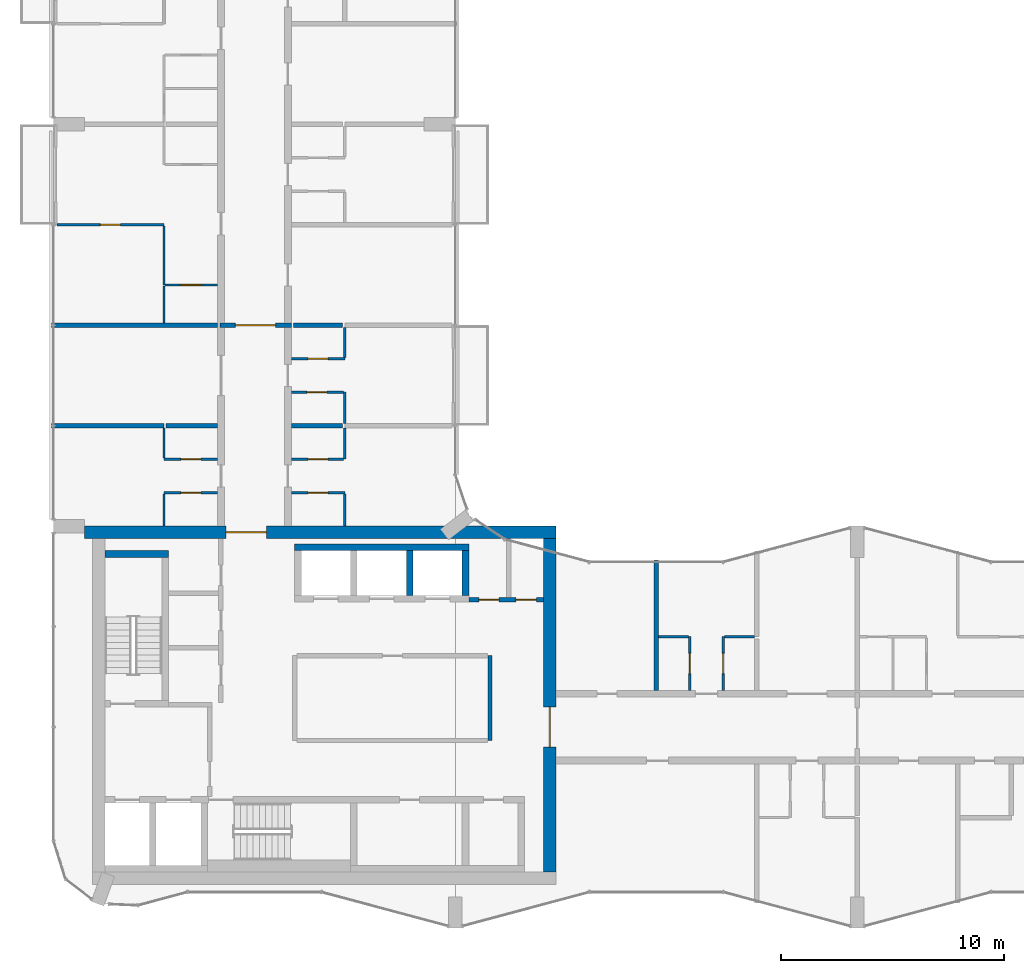
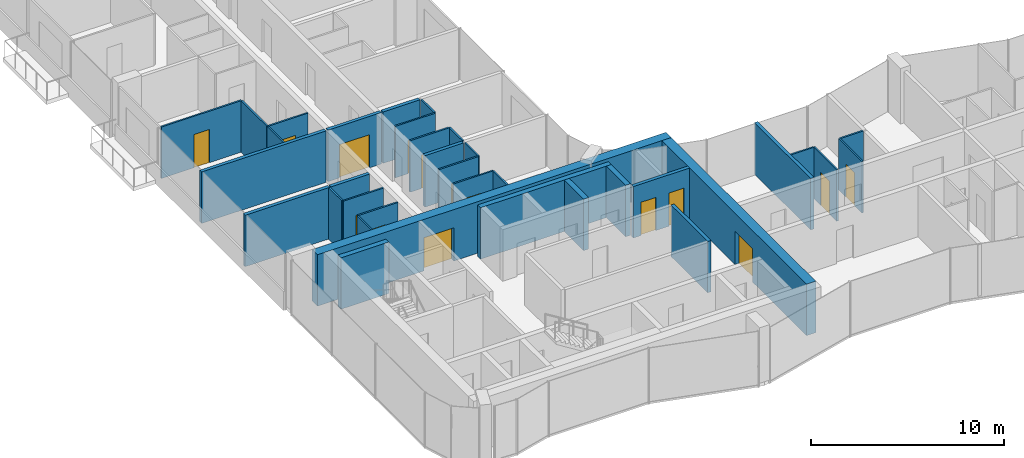
# One storey, part 10 of 15: 35 walls, 15 doors, 15 openings.
"""IFC4 building model written with IfcOpenShell, lengths in metres."""

from ifc_helpers import new_model, si_unit, direction, frame, frame_2d, origin, place, context, subcontext, project, spatial, rectangle, extrude, material, layer, layer_set, type_object, element, fill, save


model = new_model("IFC4")

# Units and contexts
model_context = context("Model", 3, precision=1e-05, world=origin(), true_north=direction((0.0, 1.0)))
body_context = subcontext(model_context, "Body", "Model", "MODEL_VIEW")
ifc_project = project(units=[si_unit("LENGTHUNIT", "METRE"), si_unit("AREAUNIT", "SQUARE_METRE"), si_unit("VOLUMEUNIT", "CUBIC_METRE"), si_unit("PLANEANGLEUNIT", "RADIAN"), si_unit("MASSUNIT", "GRAM", prefix="KILO")], contexts=[model_context])

# Site, building, storey
site_placement = place(None, origin())
site = spatial("IfcSite", under=ifc_project, at=site_placement, CompositionType="ELEMENT")
building_placement = place(site_placement, origin())
building = spatial("IfcBuilding", under=site, at=building_placement, Name="Plateau Cross Towers", CompositionType="ELEMENT")
storey_placement = place(building_placement, frame((0.0, 0.0, 177.89990234375)))
storey = spatial("IfcBuildingStorey", under=building, at=storey_placement, Name="L46", CompositionType="ELEMENT", Elevation=177.89990234375)

# Wall
ifc_material_1 = material(Name="Concrete block, plastered both sides", Category="concrete")
ifc_layer_1 = layer(ifc_material_1, 0.199951171875)
ifc_layer_set_1 = layer_set([ifc_layer_1], Name="Concrete block, plastered both sides")
wall_type_1 = type_object("IfcWallType", Name="Core partition 200", PredefinedType="PARTITIONING", material=ifc_layer_set_1)
wall_1_placement = place(storey_placement, frame((19.550048828125, 8.39990234375, 0.0), z_axis=(0.0, 0.0, 1.0), x_axis=(0.0, 1.0, 0.0)))
element("IfcWall", 1, at=wall_1_placement, inside=storey, type_object=wall_type_1, Name="Core partition", PredefinedType="PARTITIONING", context=body_context, shape_type="SweptSolid", body=[
    extrude(rectangle(XDim=3.800048828125, YDim=0.199951171875, at=frame_2d((1.89990234375, 0.0))), origin(), (0.0, 0.0, 1.0), 3.25),
])

# Wall, openings, doors
wall_2_placement = place(storey_placement, frame((18.60009765625, 14.699951171875, 0.0), z_axis=(0.0, 0.0, 1.0), x_axis=(1.0, 0.0, 0.0)))
wall_2 = element("IfcWall", 2, at=wall_2_placement, inside=storey, type_object=wall_type_1, Name="Core partition", PredefinedType="PARTITIONING", context=body_context, shape_type="SweptSolid", body=[
    extrude(rectangle(XDim=3.349853515625, YDim=0.199951171875, at=frame_2d((1.6748046875, 0.0))), origin(), (0.0, 0.0, 1.0), 3.25),
])
opening_1_placement = place(wall_2_placement, frame((0.449951171875, 0.0, 0.0)))
opening_1 = element("IfcOpeningElement", 3, at=opening_1_placement, cuts=wall_2, Name="Opening RD2", PredefinedType="OPENING", context=body_context, shape_type="SweptSolid", body=[
    extrude(rectangle(XDim=0.89990234375, YDim=2.10009765625, at=frame_2d((0.449951171875, 1.050048828125))), frame((0.0, 0.10986328125, 0.0), z_axis=(0.0, -1.0, 0.0), x_axis=(1.0, 0.0, 0.0)), (0.0, 0.0, 1.0), 0.219970703125),
])
opening_2_placement = place(wall_2_placement, frame((2.125, 0.0, 0.0)))
opening_2 = element("IfcOpeningElement", 4, at=opening_2_placement, cuts=wall_2, Name="Opening RD2", PredefinedType="OPENING", context=body_context, shape_type="SweptSolid", body=[
    extrude(rectangle(XDim=0.89990234375, YDim=2.10009765625, at=frame_2d((0.449951171875, 1.050048828125))), frame((0.0, 0.10986328125, 0.0), z_axis=(0.0, -1.0, 0.0), x_axis=(1.0, 0.0, 0.0)), (0.0, 0.0, 1.0), 0.219970703125),
])
ifc_material_2 = material(Name="Steel, fire-resisting leaf", Category="steel")
door_type_1 = type_object("IfcDoorType", Name="Core riser door 900", OperationType="NOTDEFINED", PredefinedType="DOOR", material=ifc_material_2)
door_1_placement = place(opening_1_placement, origin())
door_1 = element("IfcDoor", 5, at=door_1_placement, inside=storey, type_object=door_type_1, Name="Core riser door RD2", OperationType="SINGLE_SWING_LEFT", OverallHeight=2.10009765625, OverallWidth=0.89990234375, PredefinedType="DOOR", context=body_context, shape_type="SweptSolid", body=[
    extrude(rectangle(XDim=0.89990234375, YDim=2.10009765625, at=frame_2d((0.449951171875, 1.050048828125))), frame((0.0, 0.02490234375, 0.0), z_axis=(0.0, -1.0, 0.0), x_axis=(1.0, 0.0, 0.0)), (0.0, 0.0, 1.0), 0.050048828125),
])
fill(opening_1, door_1)
door_2_placement = place(opening_2_placement, origin())
door_2 = element("IfcDoor", 6, at=door_2_placement, inside=storey, type_object=door_type_1, Name="Core riser door RD2", OperationType="SINGLE_SWING_LEFT", OverallHeight=2.10009765625, OverallWidth=0.89990234375, PredefinedType="DOOR", context=body_context, shape_type="SweptSolid", body=[
    extrude(rectangle(XDim=0.89990234375, YDim=2.10009765625, at=frame_2d((0.449951171875, 1.050048828125))), frame((0.0, 0.02490234375, 0.0), z_axis=(0.0, -1.0, 0.0), x_axis=(1.0, 0.0, 0.0)), (0.0, 0.0, 1.0), 0.050048828125),
])
fill(opening_2, door_2)

# Walls
ifc_material_3 = material(Name="Concrete C60/75", Category="concrete")
ifc_layer_2 = layer(ifc_material_3, 0.300048828125)
ifc_layer_set_2 = layer_set([ifc_layer_2], Name="Concrete C60/75")
wall_type_2 = type_object("IfcWallType", Name="Core shaft wall 300", PredefinedType="SHEAR", material=ifc_layer_set_2)
wall_3_placement = place(storey_placement, frame((2.300048828125, 16.75, 0.0), z_axis=(0.0, 0.0, 1.0), x_axis=(1.0, 0.0, 0.0)))
element("IfcWall", 7, at=wall_3_placement, inside=storey, type_object=wall_type_2, Name="A-st1-N@L46", PredefinedType="SHEAR", context=body_context, shape_type="SweptSolid", body=[
    extrude(rectangle(XDim=2.849853515625, YDim=0.300048828125, at=frame_2d((1.4248046875, 0.0))), origin(), (0.0, 0.0, 1.0), 3.25),
])
wall_4_placement = place(storey_placement, frame((10.800048828125, 17.050048828125, 0.0), z_axis=(0.0, 0.0, 1.0), x_axis=(1.0, 0.0, 0.0)))
element("IfcWall", 8, at=wall_4_placement, inside=storey, type_object=wall_type_2, Name="A-nb-back@L46", PredefinedType="SHEAR", context=body_context, shape_type="SweptSolid", body=[
    extrude(rectangle(XDim=7.800048828125, YDim=0.300048828125, at=frame_2d((3.89990234375, 0.0))), origin(), (0.0, 0.0, 1.0), 3.25),
])
for number, where, z_axis, x_axis, name in (
    (9, (15.949951171875, 14.89990234375, 0.0), (0.0, 0.0, 1.0), (0.0, 1.0, 0.0), "A-nb-v3@L46"),
    (10, (18.449951171875, 14.89990234375, 0.0), (0.0, 0.0, 1.0), (0.0, 1.0, 0.0), "A-nb-v4@L46"),
):
    element("IfcWall", number, at=place(storey_placement, frame(where, z_axis=z_axis, x_axis=x_axis)), inside=storey, type_object=wall_type_2, Name=name, PredefinedType="SHEAR", context=body_context, shape_type="SweptSolid", body=[
        extrude(rectangle(XDim=2.0, YDim=0.300048828125, at=frame_2d((1.0, 0.0))), origin(), (0.0, 0.0, 1.0), 3.25),
    ])

# Wall, opening, door
ifc_layer_3 = layer(ifc_material_3, 0.550048828125)
ifc_layer_set_3 = layer_set([ifc_layer_3], Name="Concrete C60/75")
wall_type_3 = type_object("IfcWallType", Name="Core shell wall 550", PredefinedType="SHEAR", material=ifc_layer_set_3)
wall_5_placement = place(storey_placement, frame((1.3798828125, 17.72509765625, 0.0), z_axis=(0.0, 0.0, 1.0), x_axis=(1.0, 0.0, 0.0)))
wall_5 = element("IfcWall", 11, at=wall_5_placement, inside=storey, type_object=wall_type_3, Name="A-core-N@L46", PredefinedType="SHEAR", context=body_context, shape_type="SweptSolid", body=[
    extrude(rectangle(XDim=21.1201171875, YDim=0.550048828125, at=frame_2d((10.56005859375, 0.0))), origin(), (0.0, 0.0, 1.0), 3.25),
])
opening_3_placement = place(wall_5_placement, frame((6.35009765625, 0.0, 0.0)))
opening_3 = element("IfcOpeningElement", 12, at=opening_3_placement, cuts=wall_5, Name="Opening CD", PredefinedType="OPENING", context=body_context, shape_type="SweptSolid", body=[
    extrude(rectangle(XDim=1.800048828125, YDim=2.10009765625, at=frame_2d((0.89990234375, 1.050048828125))), frame((0.0, 0.284912109375, 0.0), z_axis=(0.0, -1.0, 0.0), x_axis=(1.0, 0.0, 0.0)), (0.0, 0.0, 1.0), 0.570068359375),
])
ifc_material_4 = material(Name="Steel, fire-resisting leaves", Category="steel")
door_type_2 = type_object("IfcDoorType", Name="Corridor door pair 1800", OperationType="NOTDEFINED", PredefinedType="DOOR", material=ifc_material_4)
door_3_placement = place(opening_3_placement, origin())
door_3 = element("IfcDoor", 13, at=door_3_placement, inside=storey, type_object=door_type_2, Name="Corridor door pair CD", OperationType="DOUBLE_DOOR_SINGLE_SWING", OverallHeight=2.10009765625, OverallWidth=1.800048828125, PredefinedType="DOOR", context=body_context, shape_type="SweptSolid", body=[
    extrude(rectangle(XDim=1.800048828125, YDim=2.10009765625, at=frame_2d((0.89990234375, 1.050048828125))), frame((0.0, 0.02490234375, 0.0), z_axis=(0.0, -1.0, 0.0), x_axis=(1.0, 0.0, 0.0)), (0.0, 0.0, 1.0), 0.050048828125),
])
fill(opening_3, door_3)

wall_6_placement = place(storey_placement, frame((22.22509765625, 2.5, 0.0), z_axis=(0.0, 0.0, 1.0), x_axis=(0.0, 1.0, 0.0)))
wall_6 = element("IfcWall", 14, at=wall_6_placement, inside=storey, type_object=wall_type_3, Name="A-core-E@L46", PredefinedType="SHEAR", context=body_context, shape_type="SweptSolid", body=[
    extrude(rectangle(XDim=14.949951171875, YDim=0.550048828125, at=frame_2d((7.47509765625, 0.0))), origin(), (0.0, 0.0, 1.0), 3.25),
])
opening_4_placement = place(wall_6_placement, frame((5.60009765625, 0.0, 0.0)))
opening_4 = element("IfcOpeningElement", 15, at=opening_4_placement, cuts=wall_6, Name="Opening CD", PredefinedType="OPENING", context=body_context, shape_type="SweptSolid", body=[
    extrude(rectangle(XDim=1.800048828125, YDim=2.10009765625, at=frame_2d((0.89990234375, 1.050048828125))), frame((0.0, 0.284912109375, 0.0), z_axis=(0.0, -1.0, 0.0), x_axis=(1.0, 0.0, 0.0)), (0.0, 0.0, 1.0), 0.570068359375),
])
door_4_placement = place(opening_4_placement, origin())
door_4 = element("IfcDoor", 16, at=door_4_placement, inside=storey, type_object=door_type_2, Name="Corridor door pair CD", OperationType="DOUBLE_DOOR_SINGLE_SWING", OverallHeight=2.10009765625, OverallWidth=1.800048828125, PredefinedType="DOOR", context=body_context, shape_type="SweptSolid", body=[
    extrude(rectangle(XDim=1.800048828125, YDim=2.10009765625, at=frame_2d((0.89990234375, 1.050048828125))), frame((0.0, 0.02490234375, 0.0), z_axis=(0.0, -1.0, 0.0), x_axis=(1.0, 0.0, 0.0)), (0.0, 0.0, 1.0), 0.050048828125),
])
fill(opening_4, door_4)

# Walls
ifc_material_5 = material(Name="Gypsum board on steel studs", Category="steel")
ifc_layer_4 = layer(ifc_material_5, 0.10009765625)
ifc_layer_set_4 = layer_set([ifc_layer_4], Name="Gypsum board on steel studs")
wall_type_4 = type_object("IfcWallType", Name="Flat partition 100", PredefinedType="PARTITIONING", material=ifc_layer_set_4)
for number, where, z_axis, x_axis, name in (
    (17, (28.449951171875, 13.050048828125, 0.0), (0.0, 0.0, 1.0), (-1.0, 0.0, 0.0), "Partition wall"),
    (18, (31.39990234375, 13.050048828125, 0.0), (0.0, 0.0, 1.0), (-1.0, 0.0, 0.0), "Partition wall"),
):
    element("IfcWall", number, at=place(storey_placement, frame(where, z_axis=z_axis, x_axis=x_axis)), inside=storey, type_object=wall_type_4, Name=name, PredefinedType="PARTITIONING", context=body_context, shape_type="SweptSolid", body=[
        extrude(rectangle(XDim=1.349853515625, YDim=0.10009765625, at=frame_2d((0.6748046875, 0.0))), origin(), (0.0, 0.0, 1.0), 3.25),
    ])

# Wall, opening, door
wall_7_placement = place(storey_placement, frame((7.35009765625, 19.5, 0.0), z_axis=(0.0, 0.0, 1.0), x_axis=(-1.0, 0.0, 0.0)))
wall_7 = element("IfcWall", 19, at=wall_7_placement, inside=storey, type_object=wall_type_4, Name="Partition wall", PredefinedType="PARTITIONING", context=body_context, shape_type="SweptSolid", body=[
    extrude(rectangle(XDim=2.400146484375, YDim=0.10009765625, at=frame_2d((1.2001953125, 0.0))), origin(), (0.0, 0.0, 1.0), 3.25),
])
opening_5_placement = place(wall_7_placement, frame((0.75, 0.0, 0.0)))
opening_5 = element("IfcOpeningElement", 20, at=opening_5_placement, cuts=wall_7, Name="Opening 46-34", PredefinedType="OPENING", context=body_context, shape_type="SweptSolid", body=[
    extrude(rectangle(XDim=0.89990234375, YDim=2.10009765625, at=frame_2d((0.449951171875, 1.050048828125))), frame((0.0, 0.06005859375, 0.0), z_axis=(0.0, -1.0, 0.0), x_axis=(1.0, 0.0, 0.0)), (0.0, 0.0, 1.0), 0.1201171875),
])
ifc_material_6 = material(Name="Timber leaf", Category="wood")
door_type_3 = type_object("IfcDoorType", Name="Flat room door 900", OperationType="NOTDEFINED", PredefinedType="DOOR", material=ifc_material_6)
door_5_placement = place(opening_5_placement, origin())
door_5 = element("IfcDoor", 21, at=door_5_placement, inside=storey, type_object=door_type_3, Name="Door 46-34", OperationType="SINGLE_SWING_RIGHT", OverallHeight=2.10009765625, OverallWidth=0.89990234375, PredefinedType="DOOR", context=body_context, shape_type="SweptSolid", body=[
    extrude(rectangle(XDim=0.89990234375, YDim=2.10009765625, at=frame_2d((0.449951171875, 1.050048828125))), frame((0.0, 0.02490234375, 0.0), z_axis=(0.0, -1.0, 0.0), x_axis=(1.0, 0.0, 0.0)), (0.0, 0.0, 1.0), 0.050048828125),
])
fill(opening_5, door_5)

wall_8_placement = place(storey_placement, frame((13.050048828125, 19.5, 0.0), z_axis=(0.0, 0.0, 1.0), x_axis=(-1.0, 0.0, 0.0)))
wall_8 = element("IfcWall", 22, at=wall_8_placement, inside=storey, type_object=wall_type_4, Name="Partition wall", PredefinedType="PARTITIONING", context=body_context, shape_type="SweptSolid", body=[
    extrude(rectangle(XDim=2.400146484375, YDim=0.10009765625, at=frame_2d((1.2001953125, 0.0))), origin(), (0.0, 0.0, 1.0), 3.25),
])
opening_6_placement = place(wall_8_placement, frame((0.75, 0.0, 0.0)))
opening_6 = element("IfcOpeningElement", 23, at=opening_6_placement, cuts=wall_8, Name="Opening 46-44", PredefinedType="OPENING", context=body_context, shape_type="SweptSolid", body=[
    extrude(rectangle(XDim=0.89990234375, YDim=2.10009765625, at=frame_2d((0.449951171875, 1.050048828125))), frame((0.0, 0.06005859375, 0.0), z_axis=(0.0, -1.0, 0.0), x_axis=(1.0, 0.0, 0.0)), (0.0, 0.0, 1.0), 0.1201171875),
])
door_6_placement = place(opening_6_placement, origin())
door_6 = element("IfcDoor", 24, at=door_6_placement, inside=storey, type_object=door_type_3, Name="Door 46-44", OperationType="SINGLE_SWING_LEFT", OverallHeight=2.10009765625, OverallWidth=0.89990234375, PredefinedType="DOOR", context=body_context, shape_type="SweptSolid", body=[
    extrude(rectangle(XDim=0.89990234375, YDim=2.10009765625, at=frame_2d((0.449951171875, 1.050048828125))), frame((0.0, 0.02490234375, 0.0), z_axis=(0.0, -1.0, 0.0), x_axis=(1.0, 0.0, 0.0)), (0.0, 0.0, 1.0), 0.050048828125),
])
fill(opening_6, door_6)

wall_9_placement = place(storey_placement, frame((4.949951171875, 21.0, 0.0), z_axis=(0.0, 0.0, 1.0), x_axis=(1.0, 0.0, 0.0)))
wall_9 = element("IfcWall", 25, at=wall_9_placement, inside=storey, type_object=wall_type_4, Name="Partition wall", PredefinedType="PARTITIONING", context=body_context, shape_type="SweptSolid", body=[
    extrude(rectangle(XDim=2.400146484375, YDim=0.10009765625, at=frame_2d((1.2001953125, 0.0))), origin(), (0.0, 0.0, 1.0), 3.25),
])
opening_7_placement = place(wall_9_placement, frame((0.75, 0.0, 0.0)))
opening_7 = element("IfcOpeningElement", 26, at=opening_7_placement, cuts=wall_9, Name="Opening 46-35", PredefinedType="OPENING", context=body_context, shape_type="SweptSolid", body=[
    extrude(rectangle(XDim=0.89990234375, YDim=2.10009765625, at=frame_2d((0.449951171875, 1.050048828125))), frame((0.0, 0.06005859375, 0.0), z_axis=(0.0, -1.0, 0.0), x_axis=(1.0, 0.0, 0.0)), (0.0, 0.0, 1.0), 0.1201171875),
])
door_7_placement = place(opening_7_placement, origin())
door_7 = element("IfcDoor", 27, at=door_7_placement, inside=storey, type_object=door_type_3, Name="Door 46-35", OperationType="SINGLE_SWING_RIGHT", OverallHeight=2.10009765625, OverallWidth=0.89990234375, PredefinedType="DOOR", context=body_context, shape_type="SweptSolid", body=[
    extrude(rectangle(XDim=0.89990234375, YDim=2.10009765625, at=frame_2d((0.449951171875, 1.050048828125))), frame((0.0, 0.02490234375, 0.0), z_axis=(0.0, -1.0, 0.0), x_axis=(1.0, 0.0, 0.0)), (0.0, 0.0, 1.0), 0.050048828125),
])
fill(opening_7, door_7)

wall_10_placement = place(storey_placement, frame((10.64990234375, 21.0, 0.0), z_axis=(0.0, 0.0, 1.0), x_axis=(1.0, 0.0, 0.0)))
wall_10 = element("IfcWall", 28, at=wall_10_placement, inside=storey, type_object=wall_type_4, Name="Partition wall", PredefinedType="PARTITIONING", context=body_context, shape_type="SweptSolid", body=[
    extrude(rectangle(XDim=2.35009765625, YDim=0.10009765625, at=frame_2d((1.175048828125, 0.0))), origin(), (0.0, 0.0, 1.0), 3.25),
])
opening_8_placement = place(wall_10_placement, frame((0.75, 0.0, 0.0)))
opening_8 = element("IfcOpeningElement", 29, at=opening_8_placement, cuts=wall_10, Name="Opening 46-45", PredefinedType="OPENING", context=body_context, shape_type="SweptSolid", body=[
    extrude(rectangle(XDim=0.89990234375, YDim=2.10009765625, at=frame_2d((0.449951171875, 1.050048828125))), frame((0.0, 0.06005859375, 0.0), z_axis=(0.0, -1.0, 0.0), x_axis=(1.0, 0.0, 0.0)), (0.0, 0.0, 1.0), 0.1201171875),
])
door_8_placement = place(opening_8_placement, origin())
door_8 = element("IfcDoor", 30, at=door_8_placement, inside=storey, type_object=door_type_3, Name="Door 46-45", OperationType="SINGLE_SWING_RIGHT", OverallHeight=2.10009765625, OverallWidth=0.89990234375, PredefinedType="DOOR", context=body_context, shape_type="SweptSolid", body=[
    extrude(rectangle(XDim=0.89990234375, YDim=2.10009765625, at=frame_2d((0.449951171875, 1.050048828125))), frame((0.0, 0.02490234375, 0.0), z_axis=(0.0, -1.0, 0.0), x_axis=(1.0, 0.0, 0.0)), (0.0, 0.0, 1.0), 0.050048828125),
])
fill(opening_8, door_8)

wall_11_placement = place(storey_placement, frame((13.0, 24.0, 0.0), z_axis=(0.0, 0.0, 1.0), x_axis=(-1.0, 0.0, 0.0)))
wall_11 = element("IfcWall", 31, at=wall_11_placement, inside=storey, type_object=wall_type_4, Name="Partition wall", PredefinedType="PARTITIONING", context=body_context, shape_type="SweptSolid", body=[
    extrude(rectangle(XDim=2.35009765625, YDim=0.10009765625, at=frame_2d((1.175048828125, 0.0))), origin(), (0.0, 0.0, 1.0), 3.25),
])
opening_9_placement = place(wall_11_placement, frame((0.75, 0.0, 0.0)))
opening_9 = element("IfcOpeningElement", 32, at=opening_9_placement, cuts=wall_11, Name="Opening 46-46", PredefinedType="OPENING", context=body_context, shape_type="SweptSolid", body=[
    extrude(rectangle(XDim=0.89990234375, YDim=2.10009765625, at=frame_2d((0.449951171875, 1.050048828125))), frame((0.0, 0.06005859375, 0.0), z_axis=(0.0, -1.0, 0.0), x_axis=(1.0, 0.0, 0.0)), (0.0, 0.0, 1.0), 0.1201171875),
])
door_9_placement = place(opening_9_placement, origin())
door_9 = element("IfcDoor", 33, at=door_9_placement, inside=storey, type_object=door_type_3, Name="Door 46-46", OperationType="SINGLE_SWING_RIGHT", OverallHeight=2.10009765625, OverallWidth=0.89990234375, PredefinedType="DOOR", context=body_context, shape_type="SweptSolid", body=[
    extrude(rectangle(XDim=0.89990234375, YDim=2.10009765625, at=frame_2d((0.449951171875, 1.050048828125))), frame((0.0, 0.02490234375, 0.0), z_axis=(0.0, -1.0, 0.0), x_axis=(1.0, 0.0, 0.0)), (0.0, 0.0, 1.0), 0.050048828125),
])
fill(opening_9, door_9)

wall_12_placement = place(storey_placement, frame((10.64990234375, 25.5, 0.0), z_axis=(0.0, 0.0, 1.0), x_axis=(1.0, 0.0, 0.0)))
wall_12 = element("IfcWall", 34, at=wall_12_placement, inside=storey, type_object=wall_type_4, Name="Partition wall", PredefinedType="PARTITIONING", context=body_context, shape_type="SweptSolid", body=[
    extrude(rectangle(XDim=2.400146484375, YDim=0.10009765625, at=frame_2d((1.2001953125, 0.0))), origin(), (0.0, 0.0, 1.0), 3.25),
])
opening_10_placement = place(wall_12_placement, frame((0.75, 0.0, 0.0)))
opening_10 = element("IfcOpeningElement", 35, at=opening_10_placement, cuts=wall_12, Name="Opening 46-47", PredefinedType="OPENING", context=body_context, shape_type="SweptSolid", body=[
    extrude(rectangle(XDim=0.89990234375, YDim=2.10009765625, at=frame_2d((0.449951171875, 1.050048828125))), frame((0.0, 0.06005859375, 0.0), z_axis=(0.0, -1.0, 0.0), x_axis=(1.0, 0.0, 0.0)), (0.0, 0.0, 1.0), 0.1201171875),
])
door_10_placement = place(opening_10_placement, origin())
door_10 = element("IfcDoor", 36, at=door_10_placement, inside=storey, type_object=door_type_3, Name="Door 46-47", OperationType="SINGLE_SWING_LEFT", OverallHeight=2.10009765625, OverallWidth=0.89990234375, PredefinedType="DOOR", context=body_context, shape_type="SweptSolid", body=[
    extrude(rectangle(XDim=0.89990234375, YDim=2.10009765625, at=frame_2d((0.449951171875, 1.050048828125))), frame((0.0, 0.02490234375, 0.0), z_axis=(0.0, -1.0, 0.0), x_axis=(1.0, 0.0, 0.0)), (0.0, 0.0, 1.0), 0.050048828125),
])
fill(opening_10, door_10)

wall_13_placement = place(storey_placement, frame((7.35009765625, 28.800048828125, 0.0), z_axis=(0.0, 0.0, 1.0), x_axis=(-1.0, 0.0, 0.0)))
wall_13 = element("IfcWall", 37, at=wall_13_placement, inside=storey, type_object=wall_type_4, Name="Partition wall", PredefinedType="PARTITIONING", context=body_context, shape_type="SweptSolid", body=[
    extrude(rectangle(XDim=2.35009765625, YDim=0.10009765625, at=frame_2d((1.175048828125, 0.0))), origin(), (0.0, 0.0, 1.0), 3.25),
])
opening_11_placement = place(wall_13_placement, frame((0.75, 0.0, 0.0)))
opening_11 = element("IfcOpeningElement", 38, at=opening_11_placement, cuts=wall_13, Name="Opening 46-36", PredefinedType="OPENING", context=body_context, shape_type="SweptSolid", body=[
    extrude(rectangle(XDim=0.89990234375, YDim=2.10009765625, at=frame_2d((0.449951171875, 1.050048828125))), frame((0.0, 0.06005859375, 0.0), z_axis=(0.0, -1.0, 0.0), x_axis=(1.0, 0.0, 0.0)), (0.0, 0.0, 1.0), 0.1201171875),
])
door_11_placement = place(opening_11_placement, origin())
door_11 = element("IfcDoor", 39, at=door_11_placement, inside=storey, type_object=door_type_3, Name="Door 46-36", OperationType="SINGLE_SWING_RIGHT", OverallHeight=2.10009765625, OverallWidth=0.89990234375, PredefinedType="DOOR", context=body_context, shape_type="SweptSolid", body=[
    extrude(rectangle(XDim=0.89990234375, YDim=2.10009765625, at=frame_2d((0.449951171875, 1.050048828125))), frame((0.0, 0.02490234375, 0.0), z_axis=(0.0, -1.0, 0.0), x_axis=(1.0, 0.0, 0.0)), (0.0, 0.0, 1.0), 0.050048828125),
])
fill(opening_11, door_11)

wall_14_placement = place(storey_placement, frame((4.949951171875, 31.5, 0.0), z_axis=(0.0, 0.0, 1.0), x_axis=(-1.0, 0.0, 0.0)))
wall_14 = element("IfcWall", 40, at=wall_14_placement, inside=storey, type_object=wall_type_4, Name="Partition wall", PredefinedType="PARTITIONING", context=body_context, shape_type="SweptSolid", body=[
    extrude(rectangle(XDim=4.800048828125, YDim=0.10009765625, at=frame_2d((2.39990234375, 0.0))), origin(), (0.0, 0.0, 1.0), 3.25),
])
opening_12_placement = place(wall_14_placement, frame((1.949951171875, 0.0, 0.0)))
opening_12 = element("IfcOpeningElement", 41, at=opening_12_placement, cuts=wall_14, Name="Opening 46-38", PredefinedType="OPENING", context=body_context, shape_type="SweptSolid", body=[
    extrude(rectangle(XDim=0.89990234375, YDim=2.10009765625, at=frame_2d((0.449951171875, 1.050048828125))), frame((0.0, 0.06005859375, 0.0), z_axis=(0.0, -1.0, 0.0), x_axis=(1.0, 0.0, 0.0)), (0.0, 0.0, 1.0), 0.1201171875),
])
door_12_placement = place(opening_12_placement, origin())
door_12 = element("IfcDoor", 42, at=door_12_placement, inside=storey, type_object=door_type_3, Name="Door 46-38", OperationType="SINGLE_SWING_LEFT", OverallHeight=2.10009765625, OverallWidth=0.89990234375, PredefinedType="DOOR", context=body_context, shape_type="SweptSolid", body=[
    extrude(rectangle(XDim=0.89990234375, YDim=2.10009765625, at=frame_2d((0.449951171875, 1.050048828125))), frame((0.0, 0.02490234375, 0.0), z_axis=(0.0, -1.0, 0.0), x_axis=(1.0, 0.0, 0.0)), (0.0, 0.0, 1.0), 0.050048828125),
])
fill(opening_12, door_12)

# Walls
wall_15_placement = place(storey_placement, frame((4.949951171875, 19.449951171875, 0.0), z_axis=(0.0, 0.0, 1.0), x_axis=(0.0, -1.0, 0.0)))
element("IfcWall", 43, at=wall_15_placement, inside=storey, type_object=wall_type_4, Name="Partition wall", PredefinedType="PARTITIONING", context=body_context, shape_type="SweptSolid", body=[
    extrude(rectangle(XDim=1.449951171875, YDim=0.10009765625, at=frame_2d((0.72509765625, 0.0))), origin(), (0.0, 0.0, 1.0), 3.25),
])
wall_16_placement = place(storey_placement, frame((4.949951171875, 22.39990234375, 0.0), z_axis=(0.0, 0.0, 1.0), x_axis=(0.0, -1.0, 0.0)))
element("IfcWall", 44, at=wall_16_placement, inside=storey, type_object=wall_type_4, Name="Partition wall", PredefinedType="PARTITIONING", context=body_context, shape_type="SweptSolid", body=[
    extrude(rectangle(XDim=1.349853515625, YDim=0.10009765625, at=frame_2d((0.6748046875, 0.0))), origin(), (0.0, 0.0, 1.0), 3.25),
])
wall_17_placement = place(storey_placement, frame((4.949951171875, 28.75, 0.0), z_axis=(0.0, 0.0, 1.0), x_axis=(0.0, -1.0, 0.0)))
element("IfcWall", 45, at=wall_17_placement, inside=storey, type_object=wall_type_4, Name="Partition wall", PredefinedType="PARTITIONING", context=body_context, shape_type="SweptSolid", body=[
    extrude(rectangle(XDim=1.64990234375, YDim=0.10009765625, at=frame_2d((0.824951171875, 0.0))), origin(), (0.0, 0.0, 1.0), 3.25),
])
wall_18_placement = place(storey_placement, frame((4.949951171875, 28.800048828125, 0.0), z_axis=(0.0, 0.0, 1.0), x_axis=(0.0, 1.0, 0.0)))
element("IfcWall", 46, at=wall_18_placement, inside=storey, type_object=wall_type_4, Name="Partition wall", PredefinedType="PARTITIONING", context=body_context, shape_type="SweptSolid", body=[
    extrude(rectangle(XDim=2.64990234375, YDim=0.10009765625, at=frame_2d((1.324951171875, 0.0))), origin(), (0.0, 0.0, 1.0), 3.25),
])
wall_19_placement = place(storey_placement, frame((13.050048828125, 18.0, 0.0), z_axis=(0.0, 0.0, 1.0), x_axis=(0.0, 1.0, 0.0)))
element("IfcWall", 47, at=wall_19_placement, inside=storey, type_object=wall_type_4, Name="Partition wall", PredefinedType="PARTITIONING", context=body_context, shape_type="SweptSolid", body=[
    extrude(rectangle(XDim=1.449951171875, YDim=0.10009765625, at=frame_2d((0.72509765625, 0.0))), origin(), (0.0, 0.0, 1.0), 3.25),
])
for number, where, z_axis, x_axis, name in (
    (48, (13.050048828125, 21.0, 0.0), (0.0, 0.0, 1.0), (0.0, 1.0, 0.0), "Partition wall"),
    (49, (13.050048828125, 22.60009765625, 0.0), (0.0, 0.0, 1.0), (0.0, 1.0, 0.0), "Partition wall"),
):
    element("IfcWall", number, at=place(storey_placement, frame(where, z_axis=z_axis, x_axis=x_axis)), inside=storey, type_object=wall_type_4, Name=name, PredefinedType="PARTITIONING", context=body_context, shape_type="SweptSolid", body=[
        extrude(rectangle(XDim=1.39990234375, YDim=0.10009765625, at=frame_2d((0.699951171875, 0.0))), origin(), (0.0, 0.0, 1.0), 3.25),
    ])
wall_20_placement = place(storey_placement, frame((13.050048828125, 25.550048828125, 0.0), z_axis=(0.0, 0.0, 1.0), x_axis=(0.0, 1.0, 0.0)))
element("IfcWall", 50, at=wall_20_placement, inside=storey, type_object=wall_type_4, Name="Partition wall", PredefinedType="PARTITIONING", context=body_context, shape_type="SweptSolid", body=[
    extrude(rectangle(XDim=1.349853515625, YDim=0.10009765625, at=frame_2d((0.6748046875, 0.0))), origin(), (0.0, 0.0, 1.0), 3.25),
])

# Wall, opening, door
wall_21_placement = place(storey_placement, frame((28.5, 10.64990234375, 0.0), z_axis=(0.0, 0.0, 1.0), x_axis=(0.0, 1.0, 0.0)))
wall_21 = element("IfcWall", 51, at=wall_21_placement, inside=storey, type_object=wall_type_4, Name="Partition wall", PredefinedType="PARTITIONING", context=body_context, shape_type="SweptSolid", body=[
    extrude(rectangle(XDim=2.400146484375, YDim=0.10009765625, at=frame_2d((1.2001953125, 0.0))), origin(), (0.0, 0.0, 1.0), 3.25),
])
opening_13_placement = place(wall_21_placement, frame((0.75, 0.0, 0.0)))
opening_13 = element("IfcOpeningElement", 52, at=opening_13_placement, cuts=wall_21, Name="Opening 46-27", PredefinedType="OPENING", context=body_context, shape_type="SweptSolid", body=[
    extrude(rectangle(XDim=0.89990234375, YDim=2.10009765625, at=frame_2d((0.449951171875, 1.050048828125))), frame((0.0, 0.06005859375, 0.0), z_axis=(0.0, -1.0, 0.0), x_axis=(1.0, 0.0, 0.0)), (0.0, 0.0, 1.0), 0.1201171875),
])
door_13_placement = place(opening_13_placement, origin())
door_13 = element("IfcDoor", 53, at=door_13_placement, inside=storey, type_object=door_type_3, Name="Door 46-27", OperationType="SINGLE_SWING_LEFT", OverallHeight=2.10009765625, OverallWidth=0.89990234375, PredefinedType="DOOR", context=body_context, shape_type="SweptSolid", body=[
    extrude(rectangle(XDim=0.89990234375, YDim=2.10009765625, at=frame_2d((0.449951171875, 1.050048828125))), frame((0.0, 0.02490234375, 0.0), z_axis=(0.0, -1.0, 0.0), x_axis=(1.0, 0.0, 0.0)), (0.0, 0.0, 1.0), 0.050048828125),
])
fill(opening_13, door_13)

wall_22_placement = place(storey_placement, frame((30.0, 13.050048828125, 0.0), z_axis=(0.0, 0.0, 1.0), x_axis=(0.0, -1.0, 0.0)))
wall_22 = element("IfcWall", 54, at=wall_22_placement, inside=storey, type_object=wall_type_4, Name="Partition wall", PredefinedType="PARTITIONING", context=body_context, shape_type="SweptSolid", body=[
    extrude(rectangle(XDim=2.400146484375, YDim=0.10009765625, at=frame_2d((1.2001953125, 0.0))), origin(), (0.0, 0.0, 1.0), 3.25),
])
opening_14_placement = place(wall_22_placement, frame((0.75, 0.0, 0.0)))
opening_14 = element("IfcOpeningElement", 55, at=opening_14_placement, cuts=wall_22, Name="Opening 46-28", PredefinedType="OPENING", context=body_context, shape_type="SweptSolid", body=[
    extrude(rectangle(XDim=0.89990234375, YDim=2.10009765625, at=frame_2d((0.449951171875, 1.050048828125))), frame((0.0, 0.06005859375, 0.0), z_axis=(0.0, -1.0, 0.0), x_axis=(1.0, 0.0, 0.0)), (0.0, 0.0, 1.0), 0.1201171875),
])
door_14_placement = place(opening_14_placement, origin())
door_14 = element("IfcDoor", 56, at=door_14_placement, inside=storey, type_object=door_type_3, Name="Door 46-28", OperationType="SINGLE_SWING_LEFT", OverallHeight=2.10009765625, OverallWidth=0.89990234375, PredefinedType="DOOR", context=body_context, shape_type="SweptSolid", body=[
    extrude(rectangle(XDim=0.89990234375, YDim=2.10009765625, at=frame_2d((0.449951171875, 1.050048828125))), frame((0.0, 0.02490234375, 0.0), z_axis=(0.0, -1.0, 0.0), x_axis=(1.0, 0.0, 0.0)), (0.0, 0.0, 1.0), 0.050048828125),
])
fill(opening_14, door_14)

# Walls
ifc_material_7 = material(Name="Gypsum board on steel studs, two layers each side", Category="steel")
ifc_layer_5 = layer(ifc_material_7, 0.199951171875)
ifc_layer_set_5 = layer_set([ifc_layer_5], Name="Gypsum board on steel studs, two layers each side")
wall_type_5 = type_object("IfcWallType", Name="Flat party wall 200", PredefinedType="PARTITIONING", material=ifc_layer_set_5)
for number, where, z_axis, x_axis, name in (
    (57, (7.35009765625, 22.5, 0.0), (0.0, 0.0, 1.0), (-1.0, 0.0, 0.0), "Party wall"),
    (58, (12.949951171875, 22.5, 0.0), (0.0, 0.0, 1.0), (-1.0, 0.0, 0.0), "Party wall"),
):
    element("IfcWall", number, at=place(storey_placement, frame(where, z_axis=z_axis, x_axis=x_axis)), inside=storey, type_object=wall_type_5, Name=name, PredefinedType="PARTITIONING", context=body_context, shape_type="SweptSolid", body=[
        extrude(rectangle(XDim=2.300048828125, YDim=0.199951171875, at=frame_2d((1.14990234375, 0.0))), origin(), (0.0, 0.0, 1.0), 3.25),
    ])
wall_23_placement = place(storey_placement, frame((-0.080078125, 22.5, 0.0), z_axis=(0.0, 0.0, 1.0), x_axis=(1.0, 0.0, 0.0)))
element("IfcWall", 59, at=wall_23_placement, inside=storey, type_object=wall_type_5, Name="Party wall", PredefinedType="PARTITIONING", context=body_context, shape_type="SweptSolid", body=[
    extrude(rectangle(XDim=5.030029296875, YDim=0.199951171875, at=frame_2d((2.51513671875, 0.0))), origin(), (0.0, 0.0, 1.0), 3.25),
])
wall_24_placement = place(storey_placement, frame((7.35009765625, 27.0, 0.0), z_axis=(0.0, 0.0, 1.0), x_axis=(-1.0, 0.0, 0.0)))
element("IfcWall", 60, at=wall_24_placement, inside=storey, type_object=wall_type_5, Name="Party wall", PredefinedType="PARTITIONING", context=body_context, shape_type="SweptSolid", body=[
    extrude(rectangle(XDim=7.43017578125, YDim=0.199951171875, at=frame_2d((3.715087890625, 0.0))), origin(), (0.0, 0.0, 1.0), 3.25),
])
wall_25_placement = place(storey_placement, frame((12.949951171875, 27.0, 0.0), z_axis=(0.0, 0.0, 1.0), x_axis=(-1.0, 0.0, 0.0)))
element("IfcWall", 61, at=wall_25_placement, inside=storey, type_object=wall_type_5, Name="Party wall", PredefinedType="PARTITIONING", context=body_context, shape_type="SweptSolid", body=[
    extrude(rectangle(XDim=2.199951171875, YDim=0.199951171875, at=frame_2d((1.10009765625, 0.0))), origin(), (0.0, 0.0, 1.0), 3.25),
])
wall_26_placement = place(storey_placement, frame((27.0, 10.64990234375, 0.0), z_axis=(0.0, 0.0, 1.0), x_axis=(0.0, 1.0, 0.0)))
element("IfcWall", 62, at=wall_26_placement, inside=storey, type_object=wall_type_5, Name="Party wall", PredefinedType="PARTITIONING", context=body_context, shape_type="SweptSolid", body=[
    extrude(rectangle(XDim=5.8232421875, YDim=0.199951171875, at=frame_2d((2.91162109375, 0.0))), origin(), (0.0, 0.0, 1.0), 3.25),
])

# Wall, opening, door
wall_27_placement = place(storey_placement, frame((7.449951171875, 27.0, 0.0), z_axis=(0.0, 0.0, 1.0), x_axis=(1.0, 0.0, 0.0)))
wall_27 = element("IfcWall", 63, at=wall_27_placement, inside=storey, type_object=wall_type_5, Name="Party wall", PredefinedType="PARTITIONING", context=body_context, shape_type="SweptSolid", body=[
    extrude(rectangle(XDim=3.199951171875, YDim=0.199951171875, at=frame_2d((1.60009765625, 0.0))), origin(), (0.0, 0.0, 1.0), 3.25),
])
opening_15_placement = place(wall_27_placement, frame((0.699951171875, 0.0, 0.0)))
opening_15 = element("IfcOpeningElement", 64, at=opening_15_placement, cuts=wall_27, Name="Opening 46-22", PredefinedType="OPENING", context=body_context, shape_type="SweptSolid", body=[
    extrude(rectangle(XDim=1.800048828125, YDim=2.10009765625, at=frame_2d((0.89990234375, 1.050048828125))), frame((0.0, 0.10986328125, 0.0), z_axis=(0.0, -1.0, 0.0), x_axis=(1.0, 0.0, 0.0)), (0.0, 0.0, 1.0), 0.219970703125),
])
ifc_material_8 = material(Name="Timber, fire-resisting leaves", Category="wood")
door_type_4 = type_object("IfcDoorType", Name="Flat floor fire door pair 1800", OperationType="NOTDEFINED", PredefinedType="DOOR", material=ifc_material_8)
door_15_placement = place(opening_15_placement, origin())
door_15 = element("IfcDoor", 65, at=door_15_placement, inside=storey, type_object=door_type_4, Name="Door 46-22", OperationType="SINGLE_SWING_LEFT", OverallHeight=2.10009765625, OverallWidth=1.800048828125, PredefinedType="DOOR", context=body_context, shape_type="SweptSolid", body=[
    extrude(rectangle(XDim=1.800048828125, YDim=2.10009765625, at=frame_2d((0.89990234375, 1.050048828125))), frame((0.0, 0.02490234375, 0.0), z_axis=(0.0, -1.0, 0.0), x_axis=(1.0, 0.0, 0.0)), (0.0, 0.0, 1.0), 0.050048828125),
])
fill(opening_15, door_15)

save(model, "model.ifc")
